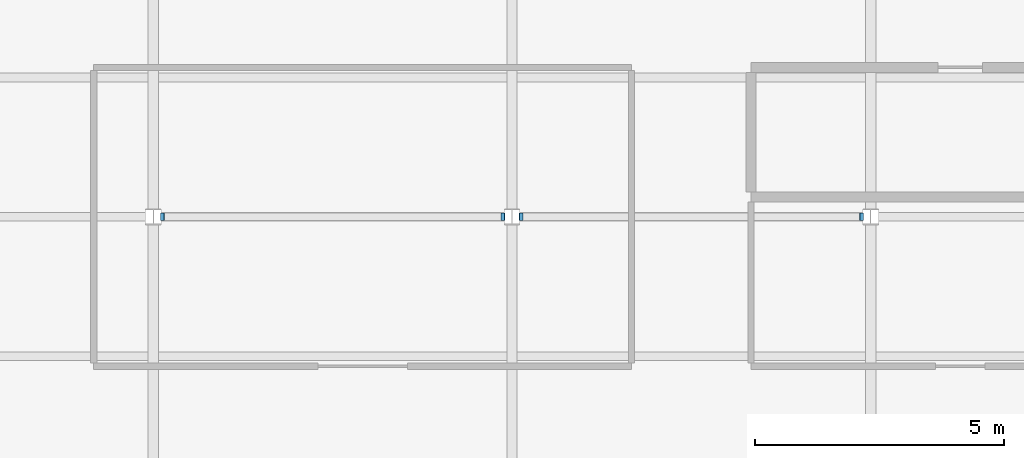
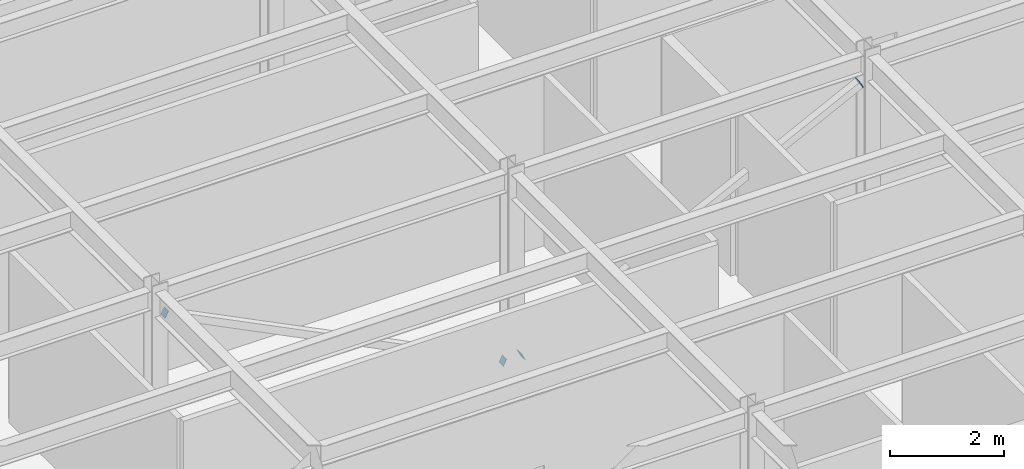
# One storey, part 106 of 169: 4 discrete accessories.
"""IFC4 building model written with IfcOpenShell, lengths in metres."""

from ifc_helpers import new_model, si_unit, direction, frame, origin, origin_2d, place, context, subcontext, project, spatial, rectangle, extrude, material, material_profile, profile_set, type_object, element, save


model = new_model("IFC4")

# Units and contexts
model_context = context("Model", 3, precision=1e-05, world=origin(), true_north=direction((0.0, 1.0)))
body_context = subcontext(model_context, "Body", "Model", "MODEL_VIEW")
ifc_project = project(units=[si_unit("LENGTHUNIT", "METRE"), si_unit("AREAUNIT", "SQUARE_METRE"), si_unit("VOLUMEUNIT", "CUBIC_METRE"), si_unit("PLANEANGLEUNIT", "RADIAN"), si_unit("MASSUNIT", "GRAM", prefix="KILO")], contexts=[model_context])

# Site, building, storey
site_placement = place(None, origin())
site = spatial("IfcSite", under=ifc_project, at=site_placement, CompositionType="ELEMENT")
building_placement = place(site_placement, origin())
building = spatial("IfcBuilding", under=site, at=building_placement, Name="Verrick Yard Athletic Hall", CompositionType="ELEMENT")
storey_placement = place(building_placement, frame((0.0, 0.0, 4.39990234375)))
storey = spatial("IfcBuildingStorey", under=building, at=storey_placement, Name="L01", CompositionType="ELEMENT", Elevation=4.39990234375)

# Discrete accessories
ifc_material = material(Name="Structural steel 350W (CSA G40.21)", Category="steel")
ifc_material_profile = material_profile(ifc_material, rectangle(XDim=0.15234375, YDim=0.15234375, at=origin_2d()), Name="STR End cap plate 152x152x9.5")
ifc_profile_set = profile_set([ifc_material_profile], Name="Structural steel 350W (CSA G40.21)")
discrete_accessory_type = type_object("IfcDiscreteAccessoryType", Name="STR End cap plate 152x152x9.5", PredefinedType="BRACKET", material=ifc_profile_set)
discrete_accessory_1_placement = place(storey_placement, frame((25.77880859375, 36.0, 0.212158203125), z_axis=(0.894427191, 0.0, 0.4472135955), x_axis=(0.0, 1.0, 0.0)))
element("IfcDiscreteAccessory", 1, at=discrete_accessory_1_placement, inside=storey, type_object=discrete_accessory_type, Name="End cap STR-BR-W2-L01 A", PredefinedType="BRACKET", context=body_context, shape_type="SweptSolid", body=[
    extrude(rectangle(XDim=0.15234375, YDim=0.15234375, at=origin_2d()), origin(), (0.0, 0.0, 1.0), 0.009765625),
])
for number, where, z_axis, x_axis, name in (
    (2, (32.6123046875, 36.0, 3.62646484375), (0.889567018144, 0.0, 0.456804684993), (0.0, 1.0, 0.0), "End cap STR-BR-W2-L01 B"),
    (3, (18.57861328125, 36.0, 3.631103515625), (0.889567018144, 0.0, -0.456804684993), (0.0, 1.0, 0.0), "End cap STR-BR-W1-L01 A"),
):
    element("IfcDiscreteAccessory", number, at=place(storey_placement, frame(where, z_axis=z_axis, x_axis=x_axis)), inside=storey, type_object=discrete_accessory_type, Name=name, PredefinedType="BRACKET", context=body_context, shape_type="SweptSolid", body=[
        extrude(rectangle(XDim=0.15234375, YDim=0.15234375, at=origin_2d()), origin(), (0.0, 0.0, 1.0), 0.01025390625),
    ])
discrete_accessory_2_placement = place(storey_placement, frame((25.412353515625, 36.0, 0.216552734375), z_axis=(0.899235088746, 0.0, -0.437465718849), x_axis=(0.0, 1.0, 0.0)))
element("IfcDiscreteAccessory", 4, at=discrete_accessory_2_placement, inside=storey, type_object=discrete_accessory_type, Name="End cap STR-BR-W1-L01 B", PredefinedType="BRACKET", context=body_context, shape_type="SweptSolid", body=[
    extrude(rectangle(XDim=0.15234375, YDim=0.15234375, at=origin_2d()), origin(), (0.0, 0.0, 1.0), 0.010009765625),
])

save(model, "model.ifc")
